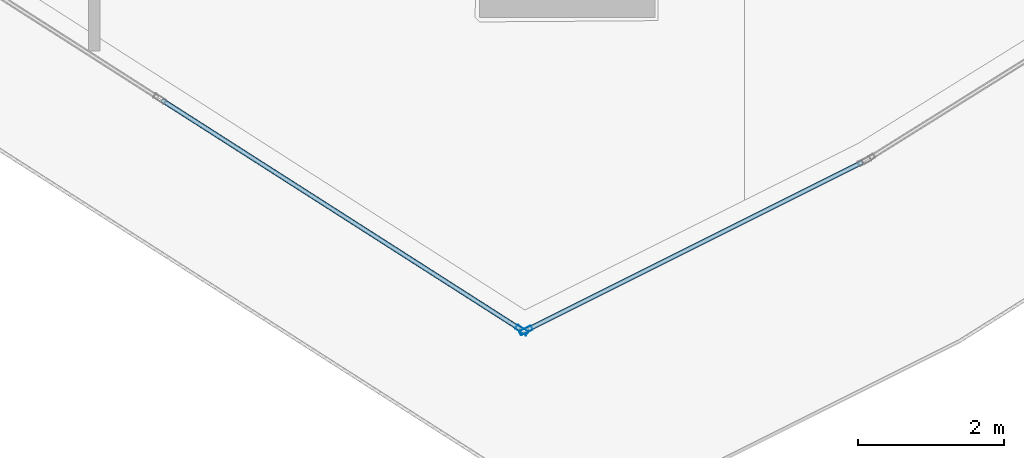
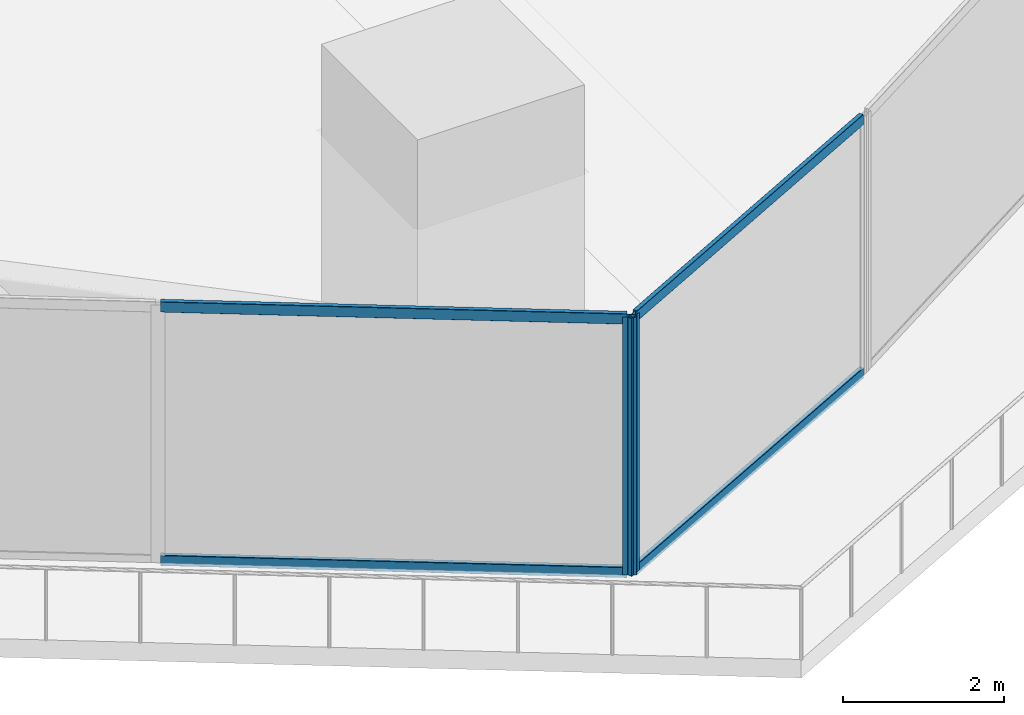
# One storey, part 9 of 52: 6 members, 2 elements without a shape of their own.
"""IFC4 building model written with IfcOpenShell, lengths in metres."""

from ifc_helpers import new_model, si_unit, direction, frame, origin, origin_2d, place, context, subcontext, project, spatial, hollow_rectangle, extrude, material, layer, layer_set, material_profile, profile_set, type_object, element, aggregate, save


model = new_model("IFC4")

# Units and contexts
model_context = context("Model", 3, precision=1e-05, world=origin(), true_north=direction((0.0, 1.0)))
body_context = subcontext(model_context, "Body", "Model", "MODEL_VIEW")
ifc_project = project(units=[si_unit("LENGTHUNIT", "METRE"), si_unit("AREAUNIT", "SQUARE_METRE"), si_unit("VOLUMEUNIT", "CUBIC_METRE"), si_unit("PLANEANGLEUNIT", "RADIAN"), si_unit("MASSUNIT", "GRAM", prefix="KILO")], contexts=[model_context])

# Site, building, storey
site_placement = place(None, origin())
site = spatial("IfcSite", under=ifc_project, at=site_placement, CompositionType="ELEMENT")
building_placement = place(site_placement, origin())
building = spatial("IfcBuilding", under=site, at=building_placement, Name="Qorvath Tower", CompositionType="ELEMENT")
storey_placement = place(building_placement, frame((0.0, 0.0, 61.800048828125)))
storey = spatial("IfcBuildingStorey", under=building, at=storey_placement, Name="L13", CompositionType="ELEMENT", Elevation=61.800048828125)

# Curtain wall, member
ifc_material_1 = material(Name="Anodised aluminium and triple low-E glass", Category="aluminium")
ifc_layer = layer(ifc_material_1, 0.179931640625)
ifc_layer_set = layer_set([ifc_layer], Name="CW-SYS-2")
curtain_wall_type = type_object("IfcCurtainWallType", Name="CW-SYS-2", PredefinedType="NOTDEFINED", material=ifc_layer_set)
curtain_wall_1_placement = place(storey_placement, origin())
curtain_wall_1 = element("IfcCurtainWall", 1, at=curtain_wall_1_placement, inside=storey, type_object=curtain_wall_type, Name="Curtain Wall CW-2 CW-T-L13-2.2", PredefinedType="NOTDEFINED")
ifc_material_2 = material(Name="Anodised aluminium 6063-T6", Category="aluminium")
ifc_material_profile_1 = material_profile(ifc_material_2, hollow_rectangle(XDim=0.06494140625, YDim=0.179931640625, WallThickness=0.00341796875, InnerFilletRadius=0.00341796875, OuterFilletRadius=0.007080078125, at=origin_2d()), Name="CWM 180x65")
ifc_profile_set_1 = profile_set([ifc_material_profile_1], Name="Anodised aluminium 6063-T6")
member_type_1 = type_object("IfcMemberType", Name="CWM-180", PredefinedType="MULLION", material=ifc_profile_set_1)
member_1_placement = place(storey_placement, frame((-15.08544921875, -32.808349609375, 0.0), z_axis=(0.0, 0.0, 1.0), x_axis=(0.538536297709, 0.842602311918, 0.0)))
member_1 = element("IfcMember", 2, at=member_1_placement, type_object=member_type_1, Name="CW-2 mullion 6", PredefinedType="MULLION", context=body_context, shape_type="SweptSolid", body=[
    extrude(hollow_rectangle(XDim=0.06494140625, YDim=0.179931640625, WallThickness=0.00341796875, InnerFilletRadius=0.00341796875, OuterFilletRadius=0.007080078125, at=origin_2d()), origin(), (0.0, 0.0, 1.0), 3.919921875),
])

curtain_wall_2_placement = place(storey_placement, origin())
curtain_wall_2 = element("IfcCurtainWall", 3, at=curtain_wall_2_placement, inside=storey, type_object=curtain_wall_type, Name="Curtain Wall CW-2 CW-T-L13-3.1", PredefinedType="NOTDEFINED")
member_2_placement = place(storey_placement, frame((-15.029052734375, -32.811279296875, 0.0), z_axis=(0.0, 0.0, 1.0), x_axis=(-0.447213595499, 0.894427191001, 0.0)))
member_2 = element("IfcMember", 4, at=member_2_placement, type_object=member_type_1, Name="CW-2 mullion 1", PredefinedType="MULLION", context=body_context, shape_type="SweptSolid", body=[
    extrude(hollow_rectangle(XDim=0.06494140625, YDim=0.179931640625, WallThickness=0.00341796875, InnerFilletRadius=0.00341796875, OuterFilletRadius=0.007080078125, at=origin_2d()), origin(), (0.0, 0.0, 1.0), 3.919921875),
])

# Member
ifc_material_3 = material(Name="Anodised aluminium 6063-T6", Category="aluminium")
ifc_material_profile_2 = material_profile(ifc_material_3, hollow_rectangle(XDim=0.06494140625, YDim=0.159912109375, WallThickness=0.00341796875, InnerFilletRadius=0.00341796875, OuterFilletRadius=0.007080078125, at=origin_2d()), Name="CWT 160x65")
ifc_profile_set_2 = profile_set([ifc_material_profile_2], Name="Anodised aluminium 6063-T6")
member_type_2 = type_object("IfcMemberType", Name="CWT-160", PredefinedType="USERDEFINED", material=ifc_profile_set_2)
member_3_placement = place(storey_placement, frame((-20.011474609375, -29.659912109375, 0.032470703125), z_axis=(0.842587751429, -0.538559078599, 0.0), x_axis=(0.538559078599, 0.842587751429, 0.0)))
member_3 = element("IfcMember", 5, at=member_3_placement, type_object=member_type_2, Name="CW-2 transom 5.1", ObjectType="TRANSOM", PredefinedType="USERDEFINED", context=body_context, shape_type="SweptSolid", body=[
    extrude(hollow_rectangle(XDim=0.06494140625, YDim=0.159912109375, WallThickness=0.00341796875, InnerFilletRadius=0.00341796875, OuterFilletRadius=0.007080078125, at=origin_2d()), origin(), (0.0, 0.0, 1.0), 5.81396484375),
])

member_4_placement = place(storey_placement, frame((-20.011474609375, -29.659912109375, 3.887451171875), z_axis=(0.842587751429, -0.538559078599, 0.0), x_axis=(0.538559078599, 0.842587751429, 0.0)))
member_4 = element("IfcMember", 6, at=member_4_placement, type_object=member_type_2, Name="CW-2 transom 5.2", ObjectType="TRANSOM", PredefinedType="USERDEFINED", context=body_context, shape_type="SweptSolid", body=[
    extrude(hollow_rectangle(XDim=0.06494140625, YDim=0.159912109375, WallThickness=0.00341796875, InnerFilletRadius=0.00341796875, OuterFilletRadius=0.007080078125, at=origin_2d()), origin(), (0.0, 0.0, 1.0), 5.81396484375),
])

aggregate(curtain_wall_1, [member_1, member_3, member_4])

member_5_placement = place(storey_placement, frame((-15.0, -32.796875, 0.032470703125), z_axis=(0.894427191, 0.4472135955, 0.0), x_axis=(-0.4472135955, 0.894427191, 0.0)))
member_5 = element("IfcMember", 7, at=member_5_placement, type_object=member_type_2, Name="CW-2 transom 1.1", ObjectType="TRANSOM", PredefinedType="USERDEFINED", context=body_context, shape_type="SweptSolid", body=[
    extrude(hollow_rectangle(XDim=0.06494140625, YDim=0.159912109375, WallThickness=0.00341796875, InnerFilletRadius=0.00341796875, OuterFilletRadius=0.007080078125, at=origin_2d()), origin(), (0.0, 0.0, 1.0), 5.113037109375),
])

member_6_placement = place(storey_placement, frame((-15.0, -32.796875, 3.887451171875), z_axis=(0.894427191, 0.4472135955, 0.0), x_axis=(-0.4472135955, 0.894427191, 0.0)))
member_6 = element("IfcMember", 8, at=member_6_placement, type_object=member_type_2, Name="CW-2 transom 1.2", ObjectType="TRANSOM", PredefinedType="USERDEFINED", context=body_context, shape_type="SweptSolid", body=[
    extrude(hollow_rectangle(XDim=0.06494140625, YDim=0.159912109375, WallThickness=0.00341796875, InnerFilletRadius=0.00341796875, OuterFilletRadius=0.007080078125, at=origin_2d()), origin(), (0.0, 0.0, 1.0), 5.113037109375),
])

aggregate(curtain_wall_2, [member_2, member_5, member_6])

save(model, "model.ifc")
